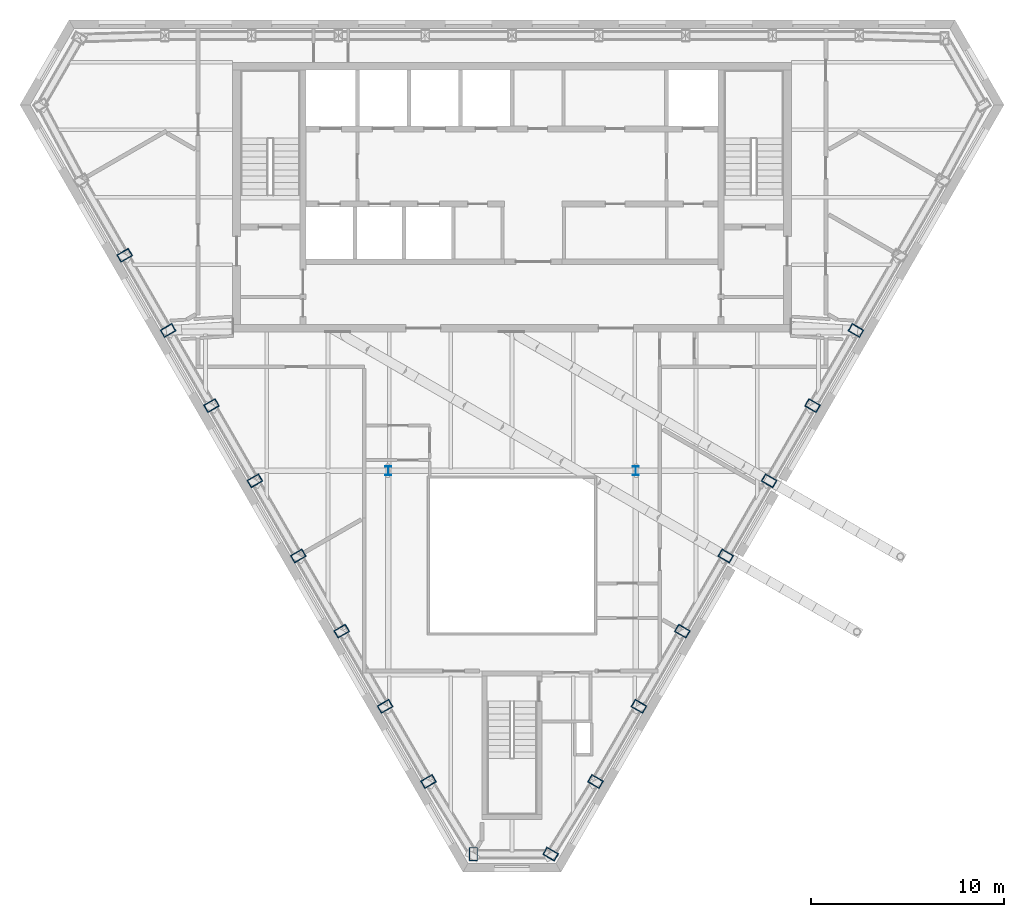
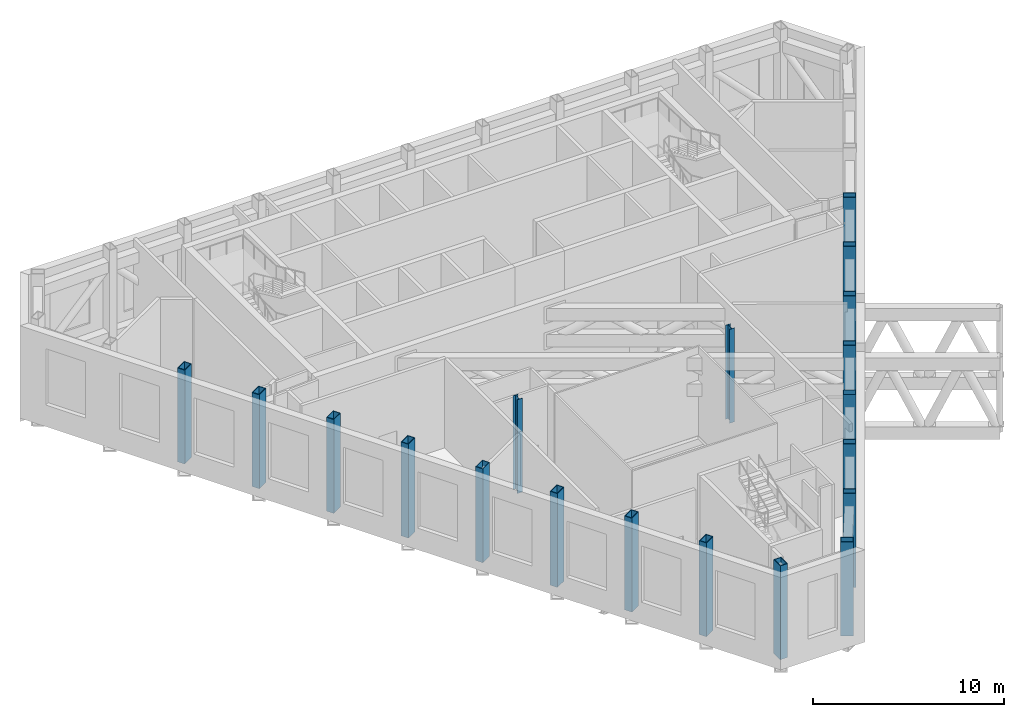
# One storey, part 1 of 14: 19 columns.
"""IFC4 building model written with IfcOpenShell, lengths in metres."""

import ifcopenshell
import ifcopenshell.guid

model = None  # the IFC model being written
_history = None  # IfcOwnerHistory: only IFC2X3 demands one
_inside = {}  # id of a spatial element -> (the spatial element, [elements in it])
_under = {}  # id of a project, library or spatial element -> (it, [spatial elements below it])
_declared = {}  # id of a project -> (the project, [libraries it declares])
_typed = {}  # id of a type object -> (the type object, [elements of that type])
_made_of = {}  # id of a material, layer set ... -> (it, [elements and type objects made of it])


def new_model(schema):
    """Start an empty IFC model of exactly this schema.

    Asked for "IFC4X3", IfcOpenShell would pick the latest addendum, in which some entities
    have other attributes; the version numbers below select the first issue.
    IFC2X3 requires an IfcOwnerHistory on every rooted entity: one is made here for all.
    """
    global model, _history
    if schema == "IFC4X3":
        model = ifcopenshell.file(schema_version=(4, 3, 0, 0))
    else:
        model = ifcopenshell.file(schema=schema)
    _inside.clear()
    _under.clear()
    _declared.clear()
    _typed.clear()
    _made_of.clear()
    _history = None
    if model.schema == "IFC2X3":
        org = make("IfcOrganization", Name="unknown")
        user = make(
            "IfcPersonAndOrganization",
            ThePerson=make("IfcPerson", FamilyName="unknown"),
            TheOrganization=org,
        )
        app = make(
            "IfcApplication",
            ApplicationDeveloper=org,
            Version="unknown",
            ApplicationFullName="unknown",
            ApplicationIdentifier="unknown",
        )
        _history = make(
            "IfcOwnerHistory",
            OwningUser=user,
            OwningApplication=app,
            ChangeAction="ADDED",
            CreationDate=0,
        )
    return model


def make(cls, **values):
    """One entity of the class cls with the attributes given. An attribute that is None is left unset."""
    return model.create_entity(
        cls, **{name: value for name, value in values.items() if value is not None}
    )


def rooted(cls, **values):
    """An entity with a GlobalId (a new one), such as an element, a storey or a relation."""
    return make(cls, GlobalId=ifcopenshell.guid.new(), OwnerHistory=_history, **values)


def si_unit(unit_type, name, prefix=None):
    """IfcSIUnit, for example si_unit("LENGTHUNIT", "METRE", prefix="MILLI")."""
    return make("IfcSIUnit", UnitType=unit_type, Prefix=prefix, Name=name)


def assignment(units):
    """IfcUnitAssignment: the units of a project."""
    return None if units is None else make("IfcUnitAssignment", Units=units)


def point(xyz):
    """IfcCartesianPoint."""
    return None if xyz is None else make("IfcCartesianPoint", Coordinates=xyz)


def direction(xyz):
    """IfcDirection."""
    return None if xyz is None else make("IfcDirection", DirectionRatios=xyz)


def frame(location, z_axis=None, x_axis=None):
    """IfcAxis2Placement3D, a coordinate frame: its origin and axes. An axis left out is left unset."""
    return make(
        "IfcAxis2Placement3D",
        Location=point(location),
        Axis=direction(z_axis),
        RefDirection=direction(x_axis),
    )


def frame_2d(location, x_axis=None):
    """IfcAxis2Placement2D, a coordinate frame in the plane: its origin and x axis."""
    return make(
        "IfcAxis2Placement2D", Location=point(location), RefDirection=direction(x_axis)
    )


def origin():
    """The frame at (0, 0, 0) with its axes left unset."""
    return frame((0.0, 0.0, 0.0))


def origin_2d():
    """The frame at (0, 0) in the plane with its x axis left unset."""
    return frame_2d((0.0, 0.0))


def place(relative_to, where):
    """IfcLocalPlacement: puts the frame where relative to a parent placement (None: the world)."""
    return make(
        "IfcLocalPlacement", PlacementRelTo=relative_to, RelativePlacement=where
    )


def context(
    kind, dimensions, precision=None, world=None, true_north=None, identifier=None
):
    """IfcGeometricRepresentationContext, for example the 3D "Model" context."""
    return make(
        "IfcGeometricRepresentationContext",
        ContextIdentifier=identifier,
        ContextType=kind,
        CoordinateSpaceDimension=dimensions,
        Precision=precision,
        WorldCoordinateSystem=world,
        TrueNorth=true_north,
    )


def subcontext(parent, identifier, kind, view, scale=None):
    """IfcGeometricRepresentationSubContext, for example "Body" below "Model"."""
    return make(
        "IfcGeometricRepresentationSubContext",
        ContextIdentifier=identifier,
        ContextType=kind,
        ParentContext=parent,
        TargetScale=scale,
        TargetView=view,
    )


def project(units=None, contexts=None):
    """IfcProject with its units and contexts."""
    return rooted(
        "IfcProject",
        Name="project",
        RepresentationContexts=contexts,
        UnitsInContext=assignment(units),
    )


def spatial(cls, under=None, at=None, **own):
    """A site, building, storey or space (cls), placed at a placement, below another one or the project."""
    s = rooted(cls, ObjectPlacement=at, **own)
    if under is not None:
        _under.setdefault(under.id(), (under, []))[1].append(s)
    return s


def profile(cls, at=None, kind="AREA", **sizes):
    """A parametric profile (cls). Its sizes go by their IFC names, for example OverallWidth=200.0."""
    return make(cls, ProfileType=kind, Position=at, **sizes)


def hollow_rectangle(**sizes):
    """IfcRectangleHollowProfileDef."""
    return profile("IfcRectangleHollowProfileDef", **sizes)


def i_section(**sizes):
    """IfcIShapeProfileDef."""
    return profile("IfcIShapeProfileDef", **sizes)


def extrude(swept, where, along, depth):
    """IfcExtrudedAreaSolid: the profile swept, set in the frame where, extruded along a direction by depth."""
    return make(
        "IfcExtrudedAreaSolid",
        SweptArea=swept,
        Position=where,
        ExtrudedDirection=direction(along),
        Depth=depth,
    )


def shape(context_of_items, identifier, shape_type, items):
    """IfcShapeRepresentation: the items that make up one representation, for example the "Body"."""
    return make(
        "IfcShapeRepresentation",
        ContextOfItems=context_of_items,
        RepresentationIdentifier=identifier,
        RepresentationType=shape_type,
        Items=items,
    )


def material(Name=None, Category=None):
    """IfcMaterial."""
    return make("IfcMaterial", Name=Name, Category=Category)


def material_profile(
    of_material, cross_section, Name=None, Category=None, Priority=None
):
    """IfcMaterialProfile: a cross section and its material."""
    return make(
        "IfcMaterialProfile",
        Name=Name,
        Material=of_material,
        Profile=cross_section,
        Priority=Priority,
        Category=Category,
    )


def profile_set(profiles, Name=None, composite=None):
    """IfcMaterialProfileSet."""
    return make(
        "IfcMaterialProfileSet",
        Name=Name,
        MaterialProfiles=profiles,
        CompositeProfile=composite,
    )


def made_of(thing, what):
    """Note that an element or type object is made of a material, layer set ...; save() writes the relation."""
    if what is not None:
        _made_of.setdefault(what.id(), (what, []))[1].append(thing)
    return thing


def type_object(cls, material=None, **own):
    """A type object (cls), such as IfcWallType, which elements share."""
    return made_of(rooted(cls, **own), material)


def element(
    cls,
    number,
    at=None,
    inside=None,
    cuts=None,
    type_object=None,
    material=None,
    context=None,
    identifier="Body",
    shape_type=None,
    held_by="IfcProductDefinitionShape",
    body=None,
    shapes=None,
    **own,
):
    """One element of the class cls, such as IfcWall. Its Tag is "e" and its number.

    at: its placement. inside: the storey or other place that contains it. cuts: it is an
    opening in that element (IfcRelVoidsElement). A single representation is given by context,
    identifier, shape_type and body (its items); several are given by shapes. held_by: the class
    of the entity that holds the representations. save() writes the other relations.
    """
    e = rooted(cls, Tag="e%d" % number, ObjectPlacement=at, **own)
    if body is not None:
        shapes = [shape(context, identifier, shape_type, body)]
    if shapes is not None:
        e.Representation = make(held_by, Representations=shapes)
    if inside is not None:
        _inside.setdefault(inside.id(), (inside, []))[1].append(e)
    if cuts is not None:
        rooted(
            "IfcRelVoidsElement", RelatingBuildingElement=cuts, RelatedOpeningElement=e
        )
    if type_object is not None:
        _typed.setdefault(type_object.id(), (type_object, []))[1].append(e)
    return made_of(e, material)


def aggregate(whole, parts):
    """IfcRelAggregates: a whole, such as a stair, and the parts it consists of."""
    return rooted("IfcRelAggregates", RelatingObject=whole, RelatedObjects=parts)


def save(model, path):
    """Write the relations noted so far, then the file.

    IfcRelAggregates (storeys below a building ...), IfcRelContainedInSpatialStructure (elements
    in a storey), IfcRelDefinesByType, IfcRelAssociatesMaterial and IfcRelDeclares: one each for
    every whole, place, type object, material and project.
    """
    for whole, parts in _under.values():
        aggregate(whole, parts)
    for where, things in _inside.values():
        rooted(
            "IfcRelContainedInSpatialStructure",
            RelatedElements=things,
            RelatingStructure=where,
        )
    for kind, things in _typed.values():
        rooted("IfcRelDefinesByType", RelatedObjects=things, RelatingType=kind)
    for what, things in _made_of.values():
        rooted("IfcRelAssociatesMaterial", RelatedObjects=things, RelatingMaterial=what)
    for by, libraries in _declared.values():
        rooted("IfcRelDeclares", RelatingContext=by, RelatedDefinitions=libraries)
    model.write(path)


model = new_model("IFC4")

# Units and contexts
model_context = context("Model", 3, precision=1e-05, world=origin(), true_north=direction((0.0, 1.0)))
body_context = subcontext(model_context, "Body", "Model", "MODEL_VIEW")
ifc_project = project(units=[si_unit("LENGTHUNIT", "METRE"), si_unit("AREAUNIT", "SQUARE_METRE"), si_unit("VOLUMEUNIT", "CUBIC_METRE"), si_unit("PLANEANGLEUNIT", "RADIAN"), si_unit("MASSUNIT", "GRAM", prefix="KILO")], contexts=[model_context])

# Site, building, storey
site_placement = place(None, origin())
site = spatial("IfcSite", under=ifc_project, at=site_placement, CompositionType="ELEMENT")
building_placement = place(site_placement, origin())
building = spatial("IfcBuilding", under=site, at=building_placement, Name="Njiva Tower", CompositionType="ELEMENT")
storey_placement = place(building_placement, frame((0.0, 0.0, 292.2)))
storey = spatial("IfcBuildingStorey", under=building, at=storey_placement, Name="L67", CompositionType="ELEMENT", Elevation=292.2)

# Columns
ifc_material = material(Name="Steel S355 J2", Category="steel")
ifc_material_profile_1 = material_profile(ifc_material, hollow_rectangle(XDim=0.45, YDim=0.7, WallThickness=0.04, at=origin_2d()), Name="BOX 700x450x40")
ifc_profile_set_1 = profile_set([ifc_material_profile_1], Name="Steel S355 J2")
column_type_1 = type_object("IfcColumnType", Name="C15 Perimeter tube column BOX 700x450x40", PredefinedType="COLUMN", material=ifc_profile_set_1)
for number, where, z_axis, x_axis, name in (
    (1, (-20.11, 7.986, 0.0), (0.0, 0.0, 1.0), (0.5, -0.866025403784, 0.0), "Perimeter tube column T5-C14"),
    (2, (-17.856, 4.083, 0.0), (0.0, 0.0, 1.0), (0.5, -0.866025403784, 0.0), "Perimeter tube column T5-C15"),
    (3, (-15.603, 0.181, 0.0), (0.0, 0.0, 1.0), (0.5, -0.866025403784, 0.0), "Perimeter tube column T5-C16"),
    (4, (-13.35, -3.722, 0.0), (0.0, 0.0, 1.0), (0.5, -0.866025403784, 0.0), "Perimeter tube column T5-C17"),
    (5, (-11.096, -7.625, 0.0), (0.0, 0.0, 1.0), (0.5, -0.866025403784, 0.0), "Perimeter tube column T5-C18"),
    (6, (-8.843, -11.528, 0.0), (0.0, 0.0, 1.0), (0.5, -0.866025403784, 0.0), "Perimeter tube column T5-C19"),
    (7, (-6.59, -15.431, 0.0), (0.0, 0.0, 1.0), (0.5, -0.866025403784, 0.0), "Perimeter tube column T5-C20"),
    (8, (-4.336, -19.334, 0.0), (0.0, 0.0, 1.0), (0.5, -0.866025403784, 0.0), "Perimeter tube column T5-C21"),
    (9, (-2.006, -23.103, 0.0), (0.0, 0.0, 1.0), (1.0, 0.0, 0.0), "Perimeter tube column T5-C22"),
    (10, (2.006, -23.103, 0.0), (0.0, 0.0, 1.0), (0.5, 0.866025403784, 0.0), "Perimeter tube column T5-C23"),
    (11, (4.336, -19.334, 0.0), (0.0, 0.0, 1.0), (0.5, 0.866025403784, 0.0), "Perimeter tube column T5-C24"),
    (12, (6.59, -15.431, 0.0), (0.0, 0.0, 1.0), (0.5, 0.866025403784, 0.0), "Perimeter tube column T5-C25"),
    (13, (8.843, -11.528, 0.0), (0.0, 0.0, 1.0), (0.5, 0.866025403784, 0.0), "Perimeter tube column T5-C26"),
    (14, (11.096, -7.625, 0.0), (0.0, 0.0, 1.0), (0.5, 0.866025403784, 0.0), "Perimeter tube column T5-C27"),
    (15, (13.35, -3.722, 0.0), (0.0, 0.0, 1.0), (0.5, 0.866025403784, 0.0), "Perimeter tube column T5-C28"),
    (16, (15.603, 0.181, 0.0), (0.0, 0.0, 1.0), (0.5, 0.866025403784, 0.0), "Perimeter tube column T5-C29"),
    (17, (17.856, 4.083, 0.0), (0.0, 0.0, 1.0), (0.5, 0.866025403784, 0.0), "Perimeter tube column T5-C30"),
):
    element("IfcColumn", number, at=place(storey_placement, frame(where, z_axis=z_axis, x_axis=x_axis)), inside=storey, type_object=column_type_1, Name=name, PredefinedType="COLUMN", context=body_context, shape_type="SweptSolid", body=[
        extrude(hollow_rectangle(XDim=0.45, YDim=0.7, WallThickness=0.04, at=origin_2d()), origin(), (0.0, 0.0, 1.0), 6.0),
    ])
ifc_material_profile_2 = material_profile(ifc_material, i_section(OverallWidth=0.3, OverallDepth=0.45, WebThickness=0.014, FlangeThickness=0.026, at=origin_2d()), Name="HEB 450")
ifc_profile_set_2 = profile_set([ifc_material_profile_2], Name="Steel S355 J2")
column_type_2 = type_object("IfcColumnType", Name="C16 Interior column HEB 450", PredefinedType="COLUMN", material=ifc_profile_set_2)
for number, where, z_axis, x_axis, name in (
    (18, (6.42, -3.2, 0.0), (0.0, 0.0, 1.0), (1.0, 0.0, 0.0), "Interior column T5-C34"),
    (19, (-6.42, -3.2, 0.0), (0.0, 0.0, 1.0), (1.0, 0.0, 0.0), "Interior column T5-C35"),
):
    element("IfcColumn", number, at=place(storey_placement, frame(where, z_axis=z_axis, x_axis=x_axis)), inside=storey, type_object=column_type_2, Name=name, PredefinedType="COLUMN", context=body_context, shape_type="SweptSolid", body=[
        extrude(i_section(OverallWidth=0.3, OverallDepth=0.45, WebThickness=0.014, FlangeThickness=0.026, at=origin_2d()), origin(), (0.0, 0.0, 1.0), 6.0),
    ])

save(model, "model.ifc")
